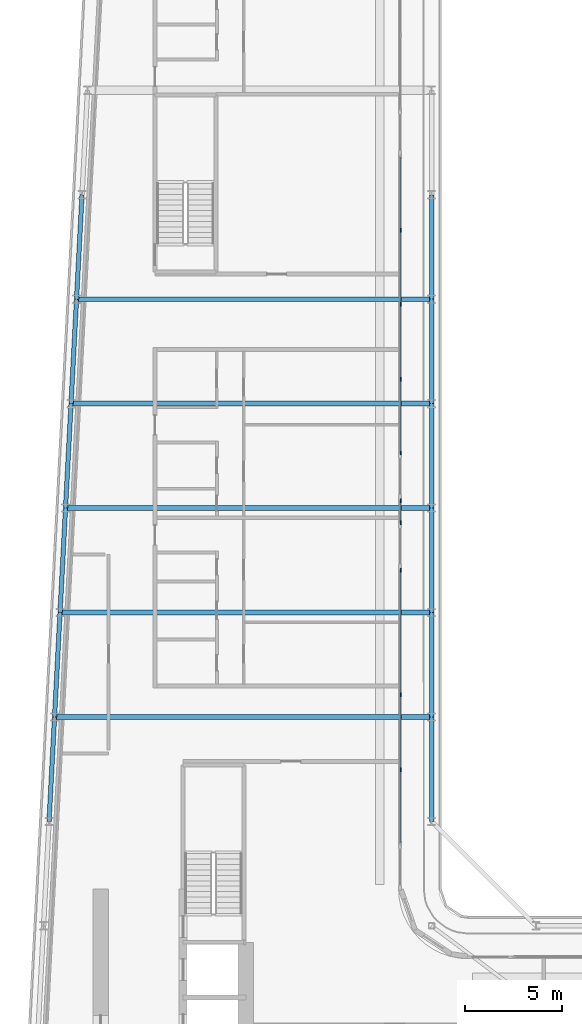
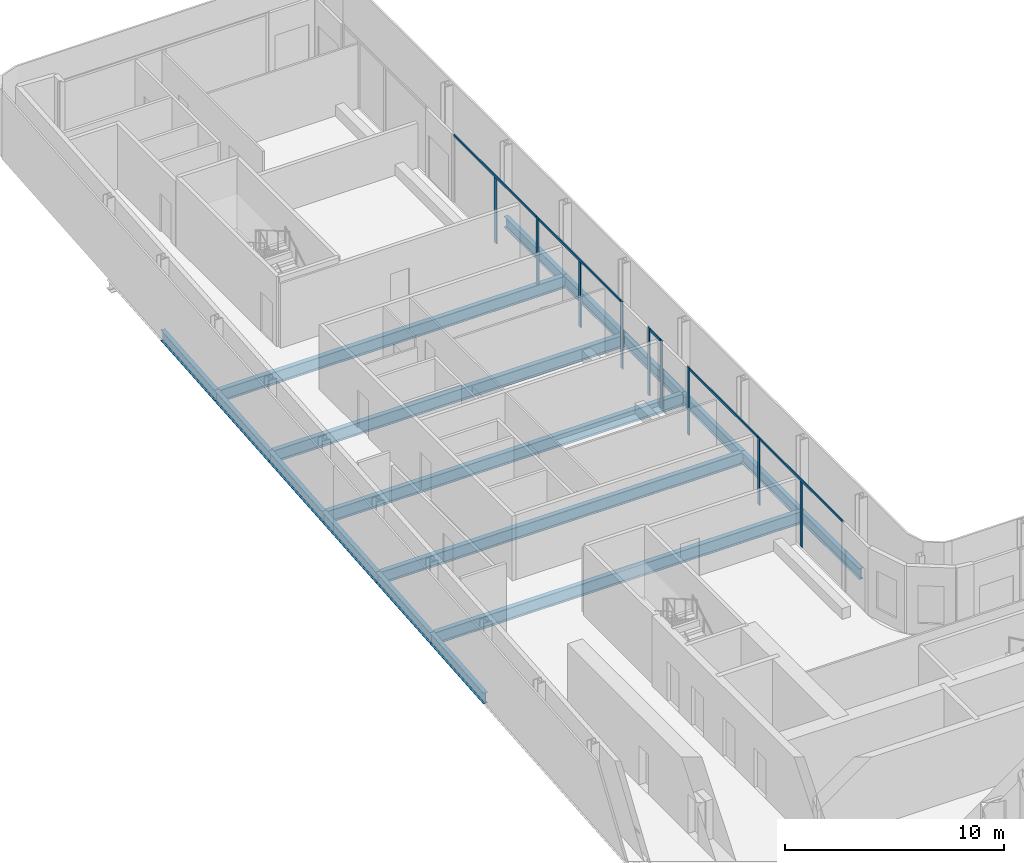
# One storey, part 7 of 26: 17 beams, 14 members, 5 elements without a shape of their own.
"""IFC4 building model written with IfcOpenShell, lengths in metres."""

from ifc_helpers import new_model, si_unit, direction, frame, origin, origin_2d, place, context, subcontext, project, spatial, rectangle, i_section, extrude, material, layer, layer_set, material_profile, profile_set, type_object, element, aggregate, save


model = new_model("IFC4")

# Units and contexts
model_context = context("Model", 3, precision=1e-05, world=origin(), true_north=direction((0.0, 1.0)))
body_context = subcontext(model_context, "Body", "Model", "MODEL_VIEW")
ifc_project = project(units=[si_unit("LENGTHUNIT", "METRE"), si_unit("AREAUNIT", "SQUARE_METRE"), si_unit("VOLUMEUNIT", "CUBIC_METRE"), si_unit("PLANEANGLEUNIT", "RADIAN"), si_unit("MASSUNIT", "GRAM", prefix="KILO")], contexts=[model_context])

# Site, building, storey
site_placement = place(None, origin())
site = spatial("IfcSite", under=ifc_project, at=site_placement, CompositionType="ELEMENT")
building_placement = place(site_placement, origin())
building = spatial("IfcBuilding", under=site, at=building_placement, Name="Kheshtan School and Residences Tower", CompositionType="ELEMENT")
storey_placement = place(building_placement, frame((0.0, 0.0, 156.5)))
storey = spatial("IfcBuildingStorey", under=building, at=storey_placement, Name="L36", CompositionType="ELEMENT", Elevation=156.5)

# Beams
ifc_material_1 = material(Name="Steel ASTM A992 Grade 50", Category="steel")
ifc_material_profile_1 = material_profile(ifc_material_1, i_section(OverallWidth=0.2529296875, OverallDepth=0.677978515625, WebThickness=0.01171875, FlangeThickness=0.016357421875, FilletRadius=0.0146484375, at=origin_2d()), Name="W690x125")
ifc_profile_set_1 = profile_set([ifc_material_profile_1], Name="Steel ASTM A992 Grade 50")
beam_type_1 = type_object("IfcBeamType", Name="Beam FB6 W690x125 ASTM A992 Grade 50", PredefinedType="BEAM", material=ifc_profile_set_1)
beam_1_placement = place(storey_placement, frame((47.60009765625, 78.0, -0.489013671875), z_axis=(-1.0, 0.0, 0.0), x_axis=(0.0, -1.0, 0.0)))
element("IfcBeam", 1, at=beam_1_placement, inside=storey, type_object=beam_type_1, Name="Floor beam C089", PredefinedType="BEAM", context=body_context, shape_type="SweptSolid", body=[
    extrude(i_section(OverallWidth=0.2529296875, OverallDepth=0.677978515625, WebThickness=0.01171875, FlangeThickness=0.016357421875, FilletRadius=0.0146484375, at=origin_2d()), origin(), (0.0, 0.0, 1.0), 18.357177734375),
])
beam_2_placement = place(storey_placement, frame((47.60009765625, 67.199951171875, -0.489013671875), z_axis=(-1.0, 0.0, 0.0), x_axis=(0.0, -1.0, 0.0)))
element("IfcBeam", 2, at=beam_2_placement, inside=storey, type_object=beam_type_1, Name="Floor beam C085", PredefinedType="BEAM", context=body_context, shape_type="SweptSolid", body=[
    extrude(i_section(OverallWidth=0.2529296875, OverallDepth=0.677978515625, WebThickness=0.01171875, FlangeThickness=0.016357421875, FilletRadius=0.0146484375, at=origin_2d()), origin(), (0.0, 0.0, 1.0), 18.926025390625),
])
beam_3_placement = place(storey_placement, frame((47.60009765625, 56.39990234375, -0.489013671875), z_axis=(-1.0, 0.0, 0.0), x_axis=(0.0, -1.0, 0.0)))
element("IfcBeam", 3, at=beam_3_placement, inside=storey, type_object=beam_type_1, Name="Floor beam C081", PredefinedType="BEAM", context=body_context, shape_type="SweptSolid", body=[
    extrude(i_section(OverallWidth=0.2529296875, OverallDepth=0.677978515625, WebThickness=0.01171875, FlangeThickness=0.016357421875, FilletRadius=0.0146484375, at=origin_2d()), origin(), (0.0, 0.0, 1.0), 19.494140625),
])
beam_4_placement = place(storey_placement, frame((28.389892578125, 61.800048828125, -0.489013671875), z_axis=(1.0, 0.0, 0.0), x_axis=(0.0, 1.0, 0.0)))
element("IfcBeam", 4, at=beam_4_placement, inside=storey, type_object=beam_type_1, Name="Floor beam C082", PredefinedType="BEAM", context=body_context, shape_type="SweptSolid", body=[
    extrude(i_section(OverallWidth=0.2529296875, OverallDepth=0.677978515625, WebThickness=0.01171875, FlangeThickness=0.016357421875, FilletRadius=0.0146484375, at=origin_2d()), origin(), (0.0, 0.0, 1.0), 19.210205078125),
])
beam_5_placement = place(storey_placement, frame((28.9580078125, 72.60009765625, -0.489013671875), z_axis=(1.0, 0.0, 0.0), x_axis=(0.0, 1.0, 0.0)))
element("IfcBeam", 5, at=beam_5_placement, inside=storey, type_object=beam_type_1, Name="Floor beam C086", PredefinedType="BEAM", context=body_context, shape_type="SweptSolid", body=[
    extrude(i_section(OverallWidth=0.2529296875, OverallDepth=0.677978515625, WebThickness=0.01171875, FlangeThickness=0.016357421875, FilletRadius=0.0146484375, at=origin_2d()), origin(), (0.0, 0.0, 1.0), 18.64208984375),
])
ifc_material_profile_2 = material_profile(ifc_material_1, i_section(OverallWidth=0.22802734375, OverallDepth=0.60302734375, WebThickness=0.010498046875, FlangeThickness=0.014892578125, FilletRadius=0.013427734375, at=origin_2d()), Name="W610x101")
ifc_profile_set_2 = profile_set([ifc_material_profile_2], Name="Steel ASTM A992 Grade 50")
beam_type_2 = type_object("IfcBeamType", Name="Beam SP2 W610x101 ASTM A992 Grade 50", PredefinedType="BEAM", material=ifc_profile_set_2)
for number, where, z_axis, x_axis, name in (
    (6, (47.60009765625, 83.39990234375, -0.451416015625), (0.0, -1.0, 0.0), (1.0, 0.0, 0.0), "Spandrel beam C091-C089"),
    (7, (47.60009765625, 78.0, -0.451416015625), (0.0, -1.0, 0.0), (1.0, 0.0, 0.0), "Spandrel beam C089-C087"),
):
    element("IfcBeam", number, at=place(storey_placement, frame(where, z_axis=z_axis, x_axis=x_axis)), inside=storey, type_object=beam_type_2, Name=name, PredefinedType="BEAM", context=body_context, shape_type="SweptSolid", body=[
        extrude(i_section(OverallWidth=0.22802734375, OverallDepth=0.60302734375, WebThickness=0.010498046875, FlangeThickness=0.014892578125, FilletRadius=0.013427734375, at=origin_2d()), origin(), (0.0, 0.0, 1.0), 5.39990234375),
    ])
beam_6_placement = place(storey_placement, frame((47.60009765625, 72.60009765625, -0.451416015625), z_axis=(0.0, -1.0, 0.0), x_axis=(1.0, 0.0, 0.0)))
element("IfcBeam", 8, at=beam_6_placement, inside=storey, type_object=beam_type_2, Name="Spandrel beam C087-C085", PredefinedType="BEAM", context=body_context, shape_type="SweptSolid", body=[
    extrude(i_section(OverallWidth=0.22802734375, OverallDepth=0.60302734375, WebThickness=0.010498046875, FlangeThickness=0.014892578125, FilletRadius=0.013427734375, at=origin_2d()), origin(), (0.0, 0.0, 1.0), 5.400146484375),
])
beam_7_placement = place(storey_placement, frame((47.60009765625, 67.199951171875, -0.451416015625), z_axis=(0.0, -1.0, 0.0), x_axis=(1.0, 0.0, 0.0)))
element("IfcBeam", 9, at=beam_7_placement, inside=storey, type_object=beam_type_2, Name="Spandrel beam C085-C083", PredefinedType="BEAM", context=body_context, shape_type="SweptSolid", body=[
    extrude(i_section(OverallWidth=0.22802734375, OverallDepth=0.60302734375, WebThickness=0.010498046875, FlangeThickness=0.014892578125, FilletRadius=0.013427734375, at=origin_2d()), origin(), (0.0, 0.0, 1.0), 5.39990234375),
])
beam_8_placement = place(storey_placement, frame((47.60009765625, 61.800048828125, -0.451416015625), z_axis=(0.0, -1.0, 0.0), x_axis=(1.0, 0.0, 0.0)))
element("IfcBeam", 10, at=beam_8_placement, inside=storey, type_object=beam_type_2, Name="Spandrel beam C083-C081", PredefinedType="BEAM", context=body_context, shape_type="SweptSolid", body=[
    extrude(i_section(OverallWidth=0.22802734375, OverallDepth=0.60302734375, WebThickness=0.010498046875, FlangeThickness=0.014892578125, FilletRadius=0.013427734375, at=origin_2d()), origin(), (0.0, 0.0, 1.0), 5.400146484375),
])
beam_9_placement = place(storey_placement, frame((47.60009765625, 56.39990234375, -0.451416015625), z_axis=(0.0, -1.0, 0.0), x_axis=(1.0, 0.0, 0.0)))
element("IfcBeam", 11, at=beam_9_placement, inside=storey, type_object=beam_type_2, Name="Spandrel beam C081-C079", PredefinedType="BEAM", context=body_context, shape_type="SweptSolid", body=[
    extrude(i_section(OverallWidth=0.22802734375, OverallDepth=0.60302734375, WebThickness=0.010498046875, FlangeThickness=0.014892578125, FilletRadius=0.013427734375, at=origin_2d()), origin(), (0.0, 0.0, 1.0), 5.39990234375),
])
beam_10_placement = place(storey_placement, frame((27.822021484375, 51.0, -0.451416015625), z_axis=(0.05250906864, 0.998620447272, 0.0), x_axis=(-0.998620447272, 0.05250906864, 0.0)))
element("IfcBeam", 12, at=beam_10_placement, inside=storey, type_object=beam_type_2, Name="Spandrel beam C078-C080", PredefinedType="BEAM", context=body_context, shape_type="SweptSolid", body=[
    extrude(i_section(OverallWidth=0.22802734375, OverallDepth=0.60302734375, WebThickness=0.010498046875, FlangeThickness=0.014892578125, FilletRadius=0.013427734375, at=origin_2d()), origin(), (0.0, 0.0, 1.0), 5.407470703125),
])
beam_11_placement = place(storey_placement, frame((28.10595703125, 56.39990234375, -0.451416015625), z_axis=(0.05250670125, 0.998620571751, 0.0), x_axis=(-0.998620571751, 0.05250670125, 0.0)))
element("IfcBeam", 13, at=beam_11_placement, inside=storey, type_object=beam_type_2, Name="Spandrel beam C080-C082", PredefinedType="BEAM", context=body_context, shape_type="SweptSolid", body=[
    extrude(i_section(OverallWidth=0.22802734375, OverallDepth=0.60302734375, WebThickness=0.010498046875, FlangeThickness=0.014892578125, FilletRadius=0.013427734375, at=origin_2d()), origin(), (0.0, 0.0, 1.0), 5.40771484375),
])
beam_12_placement = place(storey_placement, frame((28.389892578125, 61.800048828125, -0.451416015625), z_axis=(0.052554093665, 0.998618078766, 0.0), x_axis=(-0.998618078766, 0.052554093665, 0.0)))
element("IfcBeam", 14, at=beam_12_placement, inside=storey, type_object=beam_type_2, Name="Spandrel beam C082-C084", PredefinedType="BEAM", context=body_context, shape_type="SweptSolid", body=[
    extrude(i_section(OverallWidth=0.22802734375, OverallDepth=0.60302734375, WebThickness=0.010498046875, FlangeThickness=0.014892578125, FilletRadius=0.013427734375, at=origin_2d()), origin(), (0.0, 0.0, 1.0), 5.407470703125),
])
beam_13_placement = place(storey_placement, frame((28.674072265625, 67.199951171875, -0.451416015625), z_axis=(0.05250670125, 0.998620571751, 0.0), x_axis=(-0.998620571751, 0.05250670125, 0.0)))
element("IfcBeam", 15, at=beam_13_placement, inside=storey, type_object=beam_type_2, Name="Spandrel beam C084-C086", PredefinedType="BEAM", context=body_context, shape_type="SweptSolid", body=[
    extrude(i_section(OverallWidth=0.22802734375, OverallDepth=0.60302734375, WebThickness=0.010498046875, FlangeThickness=0.014892578125, FilletRadius=0.013427734375, at=origin_2d()), origin(), (0.0, 0.0, 1.0), 5.40771484375),
])
for number, where, z_axis, x_axis, name in (
    (16, (28.9580078125, 72.60009765625, -0.451416015625), (0.052689166816, 0.998610961136, 0.0), (-0.998610961136, 0.052689166816, 0.0), "Spandrel beam C086-C088"),
    (17, (29.242919921875, 78.0, -0.451416015625), (0.052554093665, 0.998618078766, 0.0), (-0.998618078766, 0.052554093665, 0.0), "Spandrel beam C088-C090"),
):
    element("IfcBeam", number, at=place(storey_placement, frame(where, z_axis=z_axis, x_axis=x_axis)), inside=storey, type_object=beam_type_2, Name=name, PredefinedType="BEAM", context=body_context, shape_type="SweptSolid", body=[
        extrude(i_section(OverallWidth=0.22802734375, OverallDepth=0.60302734375, WebThickness=0.010498046875, FlangeThickness=0.014892578125, FilletRadius=0.013427734375, at=origin_2d()), origin(), (0.0, 0.0, 1.0), 5.407470703125),
    ])

# Curtain wall, members
ifc_material_2 = material(Name="Clear low-e glass in thermally broken aluminium frame", Category="aluminium")
ifc_layer = layer(ifc_material_2, 0.199951171875)
ifc_layer_set = layer_set([ifc_layer], Name="Curtain wall CW-L")
curtain_wall_type = type_object("IfcCurtainWallType", Name="Curtain wall CW-L", PredefinedType="NOTDEFINED", material=ifc_layer_set)
curtain_wall_1_placement = place(storey_placement, origin())
curtain_wall_1 = element("IfcCurtainWall", 18, at=curtain_wall_1_placement, inside=storey, type_object=curtain_wall_type, Name="Curtain wall CWL8", PredefinedType="NOTDEFINED")
ifc_material_3 = material(Name="Thermally broken aluminium, dark bronze anodised", Category="aluminium")
ifc_material_profile_3 = material_profile(ifc_material_3, rectangle(XDim=0.06005859375, YDim=0.199951171875, at=origin_2d()), Name="CW-L mullion 60x200")
ifc_profile_set_3 = profile_set([ifc_material_profile_3], Name="Thermally broken aluminium, dark bronze anodised")
member_type_1 = type_object("IfcMemberType", Name="CW-L mullion 60x200", PredefinedType="MULLION", material=ifc_profile_set_3)
member_1_placement = place(storey_placement, frame((46.0, 81.55908203125, 0.0), z_axis=(0.0, 0.0, 1.0), x_axis=(1.0, 0.0, 0.0)))
member_1 = element("IfcMember", 19, at=member_1_placement, type_object=member_type_1, Name="CWL8 mullion 2", PredefinedType="MULLION", context=body_context, shape_type="SweptSolid", body=[
    extrude(rectangle(XDim=0.06005859375, YDim=0.199951171875, at=origin_2d()), origin(), (0.0, 0.0, 1.0), 3.6298828125),
])
member_2_placement = place(storey_placement, frame((46.0, 77.741943359375, 0.0), z_axis=(0.0, 0.0, 1.0), x_axis=(1.0, 0.0, 0.0)))
member_2 = element("IfcMember", 20, at=member_2_placement, type_object=member_type_1, Name="CWL8 mullion 3", PredefinedType="MULLION", context=body_context, shape_type="SweptSolid", body=[
    extrude(rectangle(XDim=0.06005859375, YDim=0.199951171875, at=origin_2d()), origin(), (0.0, 0.0, 1.0), 3.75),
])

curtain_wall_2_placement = place(storey_placement, origin())
curtain_wall_2 = element("IfcCurtainWall", 21, at=curtain_wall_2_placement, inside=storey, type_object=curtain_wall_type, Name="Curtain wall CWL8", PredefinedType="NOTDEFINED")
member_3_placement = place(storey_placement, frame((46.0, 73.864990234375, 0.0), z_axis=(0.0, 0.0, 1.0), x_axis=(1.0, 0.0, 0.0)))
member_3 = element("IfcMember", 22, at=member_3_placement, type_object=member_type_1, Name="CWL8 mullion 2", PredefinedType="MULLION", context=body_context, shape_type="SweptSolid", body=[
    extrude(rectangle(XDim=0.06005859375, YDim=0.199951171875, at=origin_2d()), origin(), (0.0, 0.0, 1.0), 3.6298828125),
])
member_4_placement = place(storey_placement, frame((46.0, 70.048095703125, 0.0), z_axis=(0.0, 0.0, 1.0), x_axis=(1.0, 0.0, 0.0)))
member_4 = element("IfcMember", 23, at=member_4_placement, type_object=member_type_1, Name="CWL8 mullion 3", PredefinedType="MULLION", context=body_context, shape_type="SweptSolid", body=[
    extrude(rectangle(XDim=0.06005859375, YDim=0.199951171875, at=origin_2d()), origin(), (0.0, 0.0, 1.0), 3.75),
])

curtain_wall_3_placement = place(storey_placement, origin())
curtain_wall_3 = element("IfcCurtainWall", 24, at=curtain_wall_3_placement, inside=storey, type_object=curtain_wall_type, Name="Curtain wall CWL8g", PredefinedType="NOTDEFINED")
member_5_placement = place(storey_placement, frame((46.0, 67.587890625, 0.0), z_axis=(0.0, 0.0, 1.0), x_axis=(1.0, 0.0, 0.0)))
member_5 = element("IfcMember", 25, at=member_5_placement, type_object=member_type_1, Name="CWL8g mullion 1", PredefinedType="MULLION", context=body_context, shape_type="SweptSolid", body=[
    extrude(rectangle(XDim=0.06005859375, YDim=0.199951171875, at=origin_2d()), origin(), (0.0, 0.0, 1.0), 3.75),
])
member_6_placement = place(storey_placement, frame((46.0, 66.447998046875, 0.0), z_axis=(0.0, 0.0, 1.0), x_axis=(1.0, 0.0, 0.0)))
member_6 = element("IfcMember", 26, at=member_6_placement, type_object=member_type_1, Name="CWL8g mullion 2", PredefinedType="MULLION", context=body_context, shape_type="SweptSolid", body=[
    extrude(rectangle(XDim=0.06005859375, YDim=0.199951171875, at=origin_2d()), origin(), (0.0, 0.0, 1.0), 3.75),
])

curtain_wall_4_placement = place(storey_placement, origin())
curtain_wall_4 = element("IfcCurtainWall", 27, at=curtain_wall_4_placement, inside=storey, type_object=curtain_wall_type, Name="Curtain wall CWL8h", PredefinedType="NOTDEFINED")
member_7_placement = place(storey_placement, frame((46.0, 63.988037109375, 0.0), z_axis=(0.0, 0.0, 1.0), x_axis=(1.0, 0.0, 0.0)))
member_7 = element("IfcMember", 28, at=member_7_placement, type_object=member_type_1, Name="CWL8h mullion 1", PredefinedType="MULLION", context=body_context, shape_type="SweptSolid", body=[
    extrude(rectangle(XDim=0.06005859375, YDim=0.199951171875, at=origin_2d()), origin(), (0.0, 0.0, 1.0), 3.75),
])
member_8_placement = place(storey_placement, frame((46.0, 57.553955078125, 0.0), z_axis=(0.0, 0.0, 1.0), x_axis=(1.0, 0.0, 0.0)))
member_8 = element("IfcMember", 29, at=member_8_placement, type_object=member_type_1, Name="CWL8h mullion 2", PredefinedType="MULLION", context=body_context, shape_type="SweptSolid", body=[
    extrude(rectangle(XDim=0.06005859375, YDim=0.199951171875, at=origin_2d()), origin(), (0.0, 0.0, 1.0), 3.75),
])

# Curtain wall, member
curtain_wall_5_placement = place(storey_placement, origin())
curtain_wall_5 = element("IfcCurtainWall", 30, at=curtain_wall_5_placement, inside=storey, type_object=curtain_wall_type, Name="Curtain wall CWL8", PredefinedType="NOTDEFINED")
member_9_placement = place(storey_placement, frame((46.0, 53.677001953125, 0.0), z_axis=(0.0, 0.0, 1.0), x_axis=(1.0, 0.0, 0.0)))
member_9 = element("IfcMember", 31, at=member_9_placement, type_object=member_type_1, Name="CWL8 mullion 2", PredefinedType="MULLION", context=body_context, shape_type="SweptSolid", body=[
    extrude(rectangle(XDim=0.06005859375, YDim=0.199951171875, at=origin_2d()), origin(), (0.0, 0.0, 1.0), 3.6298828125),
])

# Member
ifc_material_profile_4 = material_profile(ifc_material_3, rectangle(XDim=0.06005859375, YDim=0.1201171875, at=origin_2d()), Name="CW-L transom 60x120")
ifc_profile_set_4 = profile_set([ifc_material_profile_4], Name="Thermally broken aluminium, dark bronze anodised")
member_type_2 = type_object("IfcMemberType", Name="CW-L transom 60x120", PredefinedType="USERDEFINED", material=ifc_profile_set_4)
member_10_placement = place(storey_placement, frame((46.0, 85.345947265625, 3.68994140625), z_axis=(0.0, -1.0, 0.0), x_axis=(1.0, 0.0, 0.0)))
member_10 = element("IfcMember", 32, at=member_10_placement, type_object=member_type_2, Name="CWL8 transom 1", ObjectType="TRANSOM", PredefinedType="USERDEFINED", context=body_context, shape_type="SweptSolid", body=[
    extrude(rectangle(XDim=0.06005859375, YDim=0.1201171875, at=origin_2d()), origin(), (0.0, 0.0, 1.0), 7.573974609375),
])

aggregate(curtain_wall_1, [member_1, member_2, member_10])

member_11_placement = place(storey_placement, frame((46.0, 77.7119140625, 3.68994140625), z_axis=(0.0, -1.0, 0.0), x_axis=(1.0, 0.0, 0.0)))
member_11 = element("IfcMember", 33, at=member_11_placement, type_object=member_type_2, Name="CWL8 transom 1", ObjectType="TRANSOM", PredefinedType="USERDEFINED", context=body_context, shape_type="SweptSolid", body=[
    extrude(rectangle(XDim=0.06005859375, YDim=0.1201171875, at=origin_2d()), origin(), (0.0, 0.0, 1.0), 7.634033203125),
])

aggregate(curtain_wall_2, [member_3, member_4, member_11])

member_12_placement = place(storey_placement, frame((46.0, 67.55810546875, 3.68994140625), z_axis=(0.0, -1.0, 0.0), x_axis=(1.0, 0.0, 0.0)))
member_12 = element("IfcMember", 34, at=member_12_placement, type_object=member_type_2, Name="CWL8g transom 1", ObjectType="TRANSOM", PredefinedType="USERDEFINED", context=body_context, shape_type="SweptSolid", body=[
    extrude(rectangle(XDim=0.06005859375, YDim=0.1201171875, at=origin_2d()), origin(), (0.0, 0.0, 1.0), 1.080078125),
])

aggregate(curtain_wall_3, [member_5, member_6, member_12])

member_13_placement = place(storey_placement, frame((46.0, 63.9580078125, 3.68994140625), z_axis=(0.0, -1.0, 0.0), x_axis=(1.0, 0.0, 0.0)))
member_13 = element("IfcMember", 35, at=member_13_placement, type_object=member_type_2, Name="CWL8h transom 1", ObjectType="TRANSOM", PredefinedType="USERDEFINED", context=body_context, shape_type="SweptSolid", body=[
    extrude(rectangle(XDim=0.06005859375, YDim=0.1201171875, at=origin_2d()), origin(), (0.0, 0.0, 1.0), 6.3740234375),
])

aggregate(curtain_wall_4, [member_7, member_8, member_13])

member_14_placement = place(storey_placement, frame((46.0, 57.52392578125, 3.68994140625), z_axis=(0.0, -1.0, 0.0), x_axis=(1.0, 0.0, 0.0)))
member_14 = element("IfcMember", 36, at=member_14_placement, type_object=member_type_2, Name="CWL8 transom 1", ObjectType="TRANSOM", PredefinedType="USERDEFINED", context=body_context, shape_type="SweptSolid", body=[
    extrude(rectangle(XDim=0.06005859375, YDim=0.1201171875, at=origin_2d()), origin(), (0.0, 0.0, 1.0), 7.634033203125),
])

aggregate(curtain_wall_5, [member_9, member_14])

save(model, "model.ifc")
